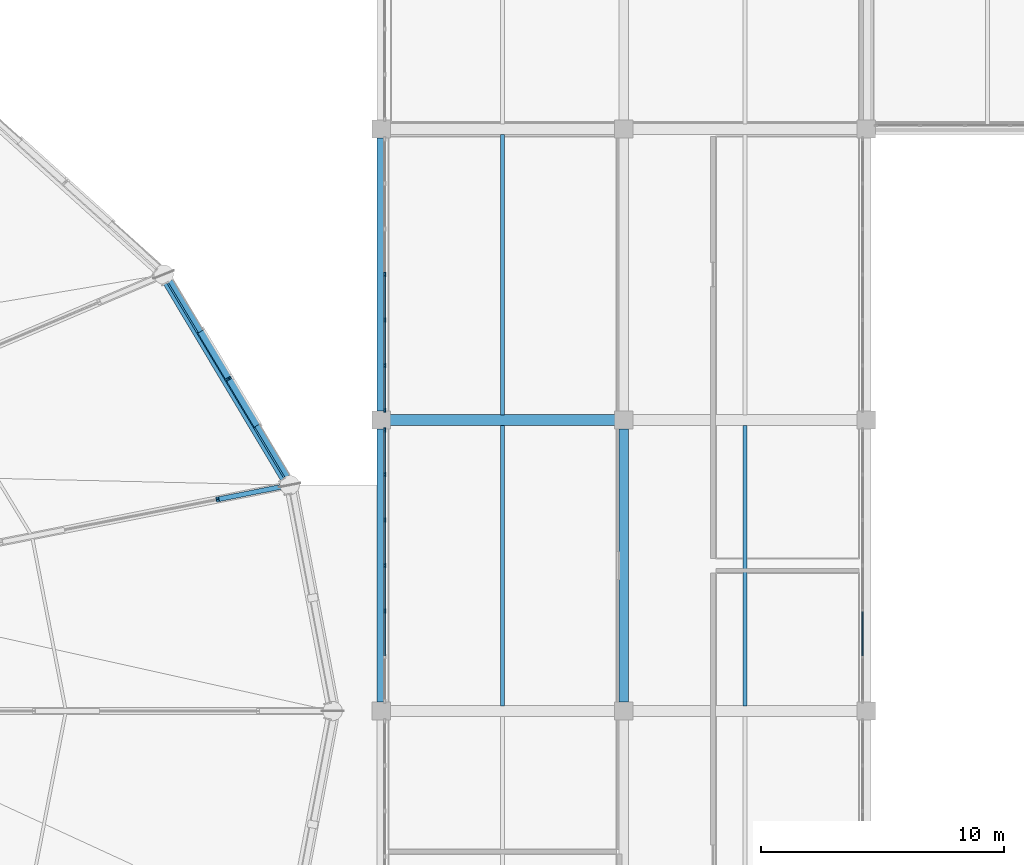
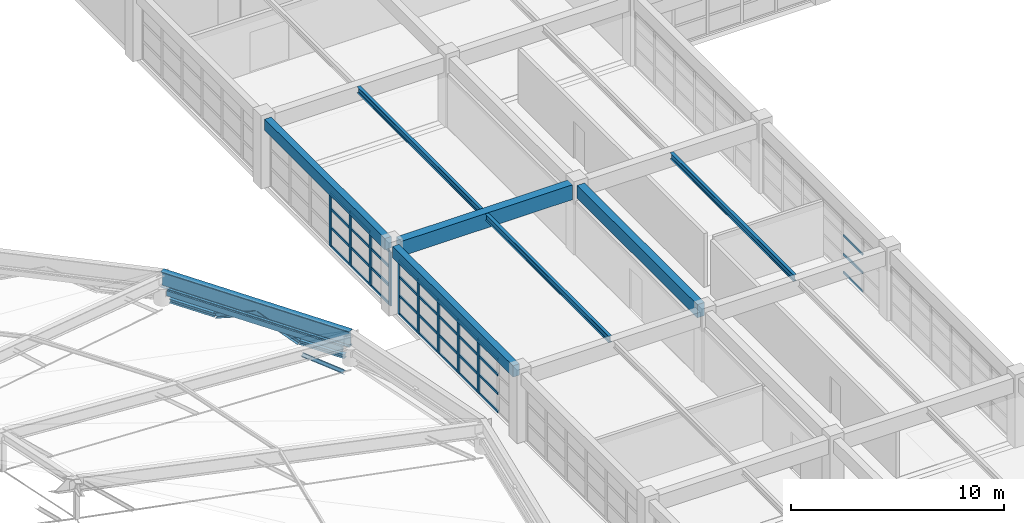
# One storey, part 30 of 83: 45 members, 13 beams, 3 elements without a shape of their own.
"""IFC4 building model written with IfcOpenShell, lengths in metres."""

from ifc_helpers import new_model, si_unit, direction, frame, origin, origin_2d, place, context, subcontext, project, spatial, rectangle, hollow_rectangle, i_section, extrude, material, layer, layer_set, material_profile, profile_set, type_object, element, aggregate, save


model = new_model("IFC4")

# Units and contexts
model_context = context("Model", 3, precision=1e-05, world=origin(), true_north=direction((0.0, 1.0)))
body_context = subcontext(model_context, "Body", "Model", "MODEL_VIEW")
ifc_project = project(units=[si_unit("LENGTHUNIT", "METRE"), si_unit("AREAUNIT", "SQUARE_METRE"), si_unit("VOLUMEUNIT", "CUBIC_METRE"), si_unit("PLANEANGLEUNIT", "RADIAN"), si_unit("MASSUNIT", "GRAM", prefix="KILO")], contexts=[model_context])

# Site, building, storey
site_placement = place(None, origin())
site = spatial("IfcSite", under=ifc_project, at=site_placement, CompositionType="ELEMENT")
building_placement = place(site_placement, origin())
building = spatial("IfcBuilding", under=site, at=building_placement, Name="Kivolera Central Railway Station", CompositionType="ELEMENT")
storey_placement = place(building_placement, frame((0.0, 0.0, 14.39990234375)))
storey = spatial("IfcBuildingStorey", under=building, at=storey_placement, Name="L03", CompositionType="ELEMENT", Elevation=14.39990234375)

# Beams
ifc_material_1 = material(Name="Steel S355", Category="steel")
ifc_material_profile_1 = material_profile(ifc_material_1, hollow_rectangle(XDim=0.14990234375, YDim=0.300048828125, WallThickness=0.012451171875, at=origin_2d()), Name="RHS 300x150x12.5")
ifc_profile_set_1 = profile_set([ifc_material_profile_1], Name="Steel S355")
beam_type_1 = type_object("IfcBeamType", Name="BM-ARCH-HOOD", PredefinedType="SPANDREL", material=ifc_profile_set_1)
beam_1_placement = place(storey_placement, frame((113.9208984375, 99.547119140625, 0.735107421875), z_axis=(-0.513358106198, 0.858174489717, 0.0), x_axis=(-0.858174489717, -0.513358106198, 0.0)))
element("IfcBeam", 1, at=beam_1_placement, inside=storey, type_object=beam_type_1, Name="Lantern Spandrel Hood Beam 02", PredefinedType="SPANDREL", context=body_context, shape_type="SweptSolid", body=[
    extrude(hollow_rectangle(XDim=0.14990234375, YDim=0.300048828125, WallThickness=0.012451171875, at=origin_2d()), origin(), (0.0, 0.0, 1.0), 9.408203125),
])
ifc_material_profile_2 = material_profile(ifc_material_1, i_section(OverallWidth=0.169921875, OverallDepth=0.360107421875, WebThickness=0.008056640625, FlangeThickness=0.0126953125, FilletRadius=0.01806640625, at=origin_2d()), Name="IPE 360")
ifc_profile_set_2 = profile_set([ifc_material_profile_2], Name="Steel S355")
beam_type_2 = type_object("IfcBeamType", Name="BM-JST-IPE360", PredefinedType="JOIST", material=ifc_profile_set_2)
for number, where, z_axis, x_axis, name in (
    (2, (123.0, 90.217041015625, 3.748046875), (0.0, 1.0, 0.0), (-1.0, 0.0, 0.0), "L03 Floor Joist 12-13/H-J"),
    (3, (123.0, 102.217041015625, 3.748046875), (0.0, 1.0, 0.0), (-1.0, 0.0, 0.0), "L03 Floor Joist 12-13/J-K"),
    (4, (133.0, 90.217041015625, 3.748046875), (0.0, 1.0, 0.0), (-1.0, 0.0, 0.0), "L03 Floor Joist 13-14/H-J"),
):
    element("IfcBeam", number, at=place(storey_placement, frame(where, z_axis=z_axis, x_axis=x_axis)), inside=storey, type_object=beam_type_2, Name=name, PredefinedType="JOIST", context=body_context, shape_type="SweptSolid", body=[
        extrude(i_section(OverallWidth=0.169921875, OverallDepth=0.360107421875, WebThickness=0.008056640625, FlangeThickness=0.0126953125, FilletRadius=0.01806640625, at=origin_2d()), origin(), (0.0, 0.0, 1.0), 11.56591796875),
    ])
ifc_material_profile_3 = material_profile(ifc_material_1, i_section(OverallWidth=0.300048828125, OverallDepth=0.300048828125, WebThickness=0.010986328125, FlangeThickness=0.01904296875, FilletRadius=0.027099609375, at=origin_2d()), Name="HEB 300")
ifc_profile_set_3 = profile_set([ifc_material_profile_3], Name="Steel S355")
beam_type_3 = type_object("IfcBeamType", Name="BM-LANT-ARCH", PredefinedType="SPANDREL", material=ifc_profile_set_3)
beam_2_placement = place(storey_placement, frame((112.89306640625, 101.781982421875, 0.16015625), z_axis=(-0.477160519348, 0.797074958456, 0.370120722709), x_axis=(-0.858007506616, -0.513637146818, 0.0)))
element("IfcBeam", 5, at=beam_2_placement, inside=storey, type_object=beam_type_3, Name="Oval Lantern Structural Arch Rib 02.3", PredefinedType="SPANDREL", context=body_context, shape_type="SweptSolid", body=[
    extrude(i_section(OverallWidth=0.300048828125, OverallDepth=0.300048828125, WebThickness=0.010986328125, FlangeThickness=0.01904296875, FilletRadius=0.027099609375, at=origin_2d()), origin(), (0.0, 0.0, 1.0), 2.431396484375),
])
beam_3_placement = place(storey_placement, frame((111.73291015625, 103.719970703125, 1.06005859375), z_axis=(-0.476772627919, 0.797265877485, -0.370209375713), x_axis=(-0.85824565616, -0.513239119399, 0.0)))
element("IfcBeam", 6, at=beam_3_placement, inside=storey, type_object=beam_type_3, Name="Oval Lantern Structural Arch Rib 02.4", PredefinedType="SPANDREL", context=body_context, shape_type="SweptSolid", body=[
    extrude(i_section(OverallWidth=0.300048828125, OverallDepth=0.300048828125, WebThickness=0.010986328125, FlangeThickness=0.01904296875, FilletRadius=0.027099609375, at=origin_2d()), origin(), (0.0, 0.0, 1.0), 2.430908203125),
])
ifc_material_profile_4 = material_profile(ifc_material_1, i_section(OverallWidth=0.239990234375, OverallDepth=0.22998046875, WebThickness=0.007568359375, FlangeThickness=0.011962890625, FilletRadius=0.02099609375, at=origin_2d()), Name="HEA 240")
ifc_profile_set_4 = profile_set([ifc_material_profile_4], Name="Steel S355")
beam_type_4 = type_object("IfcBeamType", Name="BM-LANT-HTIE", PredefinedType="SPANDREL", material=ifc_profile_set_4)
beam_4_placement = place(storey_placement, frame((114.14892578125, 99.68310546875, 0.16015625), z_axis=(-0.51345317961, 0.858117609858, 0.0), x_axis=(-0.858117609858, -0.51345317961, 0.0)))
element("IfcBeam", 7, at=beam_4_placement, inside=storey, type_object=beam_type_4, Name="Lantern Arch Spandrel Haunch Tie 02L", PredefinedType="SPANDREL", context=body_context, shape_type="SweptSolid", body=[
    extrude(i_section(OverallWidth=0.239990234375, OverallDepth=0.22998046875, WebThickness=0.007568359375, FlangeThickness=0.011962890625, FilletRadius=0.02099609375, at=origin_2d()), origin(), (0.0, 0.0, 1.0), 2.44580078125),
])
beam_5_placement = place(storey_placement, frame((110.573974609375, 105.657958984375, 0.16015625), z_axis=(-0.51340920348, 0.858143921369, 0.0), x_axis=(-0.858143921369, -0.51340920348, 0.0)))
element("IfcBeam", 8, at=beam_5_placement, inside=storey, type_object=beam_type_4, Name="Lantern Arch Spandrel Haunch Tie 02R", PredefinedType="SPANDREL", context=body_context, shape_type="SweptSolid", body=[
    extrude(i_section(OverallWidth=0.239990234375, OverallDepth=0.22998046875, WebThickness=0.007568359375, FlangeThickness=0.011962890625, FilletRadius=0.02099609375, at=origin_2d()), origin(), (0.0, 0.0, 1.0), 2.446044921875),
])
ifc_material_profile_5 = material_profile(ifc_material_1, i_section(OverallWidth=0.300048828125, OverallDepth=0.89990234375, WebThickness=0.0185546875, FlangeThickness=0.034912109375, FilletRadius=0.030029296875, at=origin_2d()), Name="HEB 900")
ifc_profile_set_5 = profile_set([ifc_material_profile_5], Name="Steel S355")
beam_type_5 = type_object("IfcBeamType", Name="BM-ORB-HEB900", PredefinedType="BEAM", material=ifc_profile_set_5)
beam_6_placement = place(storey_placement, frame((114.22802734375, 99.31689453125, 1.35009765625), z_axis=(-0.513420234648, 0.85813732156, 0.0), x_axis=(-0.85813732156, -0.513420234648, 0.0)))
element("IfcBeam", 9, at=beam_6_placement, inside=storey, type_object=beam_type_5, Name="Oval Dome Compression Ring Beam ORB-02", PredefinedType="BEAM", context=body_context, shape_type="SweptSolid", body=[
    extrude(i_section(OverallWidth=0.300048828125, OverallDepth=0.89990234375, WebThickness=0.0185546875, FlangeThickness=0.034912109375, FilletRadius=0.030029296875, at=origin_2d()), origin(), (0.0, 0.0, 1.0), 10.11865234375),
])
ifc_material_2 = material(Name="Concrete C40/50", Category="concrete")
ifc_material_profile_6 = material_profile(ifc_material_2, rectangle(XDim=0.39990234375, YDim=0.75, at=origin_2d()), Name="RC 400x750")
ifc_profile_set_6 = profile_set([ifc_material_profile_6], Name="Concrete C40/50")
beam_type_6 = type_object("IfcBeamType", Name="BM-RC-400x750", PredefinedType="BEAM", material=ifc_profile_set_6)
beam_7_placement = place(storey_placement, frame((128.0, 90.366943359375, 3.565185546875), z_axis=(0.0, 1.0, 0.0), x_axis=(-1.0, 0.0, 0.0)))
element("IfcBeam", 10, at=beam_7_placement, inside=storey, type_object=beam_type_6, Name="L03 Wing Y-Beam 13:H-J", PredefinedType="BEAM", context=body_context, shape_type="SweptSolid", body=[
    extrude(rectangle(XDim=0.39990234375, YDim=0.75, at=origin_2d()), origin(), (0.0, 0.0, 1.0), 11.26611328125),
])
ifc_material_profile_7 = material_profile(ifc_material_2, rectangle(XDim=0.449951171875, YDim=0.85009765625, at=origin_2d()), Name="RC 450x850")
ifc_profile_set_7 = profile_set([ifc_material_profile_7], Name="Concrete C40/50")
beam_type_7 = type_object("IfcBeamType", Name="BM-RC-450x850", PredefinedType="BEAM", material=ifc_profile_set_7)
beam_8_placement = place(storey_placement, frame((118.366943359375, 102.0, 3.51513671875), z_axis=(1.0, 0.0, 0.0), x_axis=(0.0, 1.0, 0.0)))
element("IfcBeam", 11, at=beam_8_placement, inside=storey, type_object=beam_type_7, Name="L03 Wing X-Beam J:12-13", PredefinedType="BEAM", context=body_context, shape_type="SweptSolid", body=[
    extrude(rectangle(XDim=0.449951171875, YDim=0.85009765625, at=origin_2d()), origin(), (0.0, 0.0, 1.0), 9.26611328125),
])
ifc_material_profile_8 = material_profile(ifc_material_2, rectangle(XDim=0.35009765625, YDim=0.64990234375, at=origin_2d()), Name="RC 350x650")
ifc_profile_set_8 = profile_set([ifc_material_profile_8], Name="Concrete C40/50")
beam_type_8 = type_object("IfcBeamType", Name="BM-SPN-RC650", PredefinedType="SPANDREL", material=ifc_profile_set_8)
for number, where, z_axis, x_axis, name in (
    (12, (118.0, 90.366943359375, 3.614990234375), (0.0, 1.0, 0.0), (-1.0, 0.0, 0.0), "L03 Wing Y-Beam 12:H-J"),
    (13, (118.0, 102.366943359375, 3.614990234375), (0.0, 1.0, 0.0), (-1.0, 0.0, 0.0), "L03 Wing Y-Beam 12:J-K"),
):
    element("IfcBeam", number, at=place(storey_placement, frame(where, z_axis=z_axis, x_axis=x_axis)), inside=storey, type_object=beam_type_8, Name=name, PredefinedType="SPANDREL", context=body_context, shape_type="SweptSolid", body=[
        extrude(rectangle(XDim=0.35009765625, YDim=0.64990234375, at=origin_2d()), origin(), (0.0, 0.0, 1.0), 11.26611328125),
    ])

# Curtain wall, members
ifc_material_3 = material(Name="Anodised aluminium", Category="aluminium")
ifc_layer = layer(ifc_material_3, 0.179931640625, Name="Anodised aluminium")
ifc_layer_set = layer_set([ifc_layer], Name="Anodised aluminium")
curtain_wall_type = type_object("IfcCurtainWallType", Name="CW-SYS-30", PredefinedType="NOTDEFINED", material=ifc_layer_set)
curtain_wall_1_placement = place(storey_placement, origin())
curtain_wall_1 = element("IfcCurtainWall", 14, at=curtain_wall_1_placement, inside=storey, type_object=curtain_wall_type, Name="L03 Curtain Wall CW-L03-WEST-H", PredefinedType="NOTDEFINED")
ifc_material_profile_9 = material_profile(ifc_material_3, rectangle(XDim=0.070068359375, YDim=0.179931640625, at=origin_2d()), Name="ALU MULL 70x180")
ifc_profile_set_9 = profile_set([ifc_material_profile_9], Name="Anodised aluminium")
member_type_1 = type_object("IfcMemberType", Name="CWM-MUL-1", PredefinedType="MULLION", material=ifc_profile_set_9)
member_1_placement = place(storey_placement, frame((118.14501953125, 94.123291015625, -0.0048828125), z_axis=(0.0, 0.0, 1.0), x_axis=(-1.0, 0.0, 0.0)))
member_1 = element("IfcMember", 15, at=member_1_placement, type_object=member_type_1, Name="CW-30 mullion 3", PredefinedType="MULLION", context=body_context, shape_type="SweptSolid", body=[
    extrude(rectangle(XDim=0.070068359375, YDim=0.179931640625, at=origin_2d()), origin(), (0.0, 0.0, 1.0), 3.0830078125),
])
member_2_placement = place(storey_placement, frame((118.14501953125, 96.0, -0.0048828125), z_axis=(0.0, 0.0, 1.0), x_axis=(-1.0, 0.0, 0.0)))
member_2 = element("IfcMember", 16, at=member_2_placement, type_object=member_type_1, Name="CW-30 mullion 4", PredefinedType="MULLION", context=body_context, shape_type="SweptSolid", body=[
    extrude(rectangle(XDim=0.070068359375, YDim=0.179931640625, at=origin_2d()), origin(), (0.0, 0.0, 1.0), 3.0830078125),
])
member_3_placement = place(storey_placement, frame((118.14501953125, 97.876708984375, -0.0048828125), z_axis=(0.0, 0.0, 1.0), x_axis=(-1.0, 0.0, 0.0)))
member_3 = element("IfcMember", 17, at=member_3_placement, type_object=member_type_1, Name="CW-30 mullion 5", PredefinedType="MULLION", context=body_context, shape_type="SweptSolid", body=[
    extrude(rectangle(XDim=0.070068359375, YDim=0.179931640625, at=origin_2d()), origin(), (0.0, 0.0, 1.0), 3.0830078125),
])
member_4_placement = place(storey_placement, frame((118.14501953125, 99.75341796875, -0.0048828125), z_axis=(0.0, 0.0, 1.0), x_axis=(-1.0, 0.0, 0.0)))
member_4 = element("IfcMember", 18, at=member_4_placement, type_object=member_type_1, Name="CW-30 mullion 6", PredefinedType="MULLION", context=body_context, shape_type="SweptSolid", body=[
    extrude(rectangle(XDim=0.070068359375, YDim=0.179931640625, at=origin_2d()), origin(), (0.0, 0.0, 1.0), 3.0830078125),
])
member_5_placement = place(storey_placement, frame((118.14501953125, 101.594970703125, -0.0048828125), z_axis=(0.0, 0.0, 1.0), x_axis=(-1.0, 0.0, 0.0)))
member_5 = element("IfcMember", 19, at=member_5_placement, type_object=member_type_1, Name="CW-30 mullion 7", PredefinedType="MULLION", context=body_context, shape_type="SweptSolid", body=[
    extrude(rectangle(XDim=0.070068359375, YDim=0.179931640625, at=origin_2d()), origin(), (0.0, 0.0, 1.0), 3.0830078125),
])

curtain_wall_2_placement = place(storey_placement, origin())
curtain_wall_2 = element("IfcCurtainWall", 20, at=curtain_wall_2_placement, inside=storey, type_object=curtain_wall_type, Name="L03 Curtain Wall CW-L03-WEST-J", PredefinedType="NOTDEFINED")
member_6_placement = place(storey_placement, frame((118.14501953125, 102.405029296875, -0.0048828125), z_axis=(0.0, 0.0, 1.0), x_axis=(-1.0, 0.0, 0.0)))
member_6 = element("IfcMember", 21, at=member_6_placement, type_object=member_type_1, Name="CW-30 mullion 1", PredefinedType="MULLION", context=body_context, shape_type="SweptSolid", body=[
    extrude(rectangle(XDim=0.070068359375, YDim=0.179931640625, at=origin_2d()), origin(), (0.0, 0.0, 1.0), 3.0830078125),
])
member_7_placement = place(storey_placement, frame((118.14501953125, 104.24658203125, -0.0048828125), z_axis=(0.0, 0.0, 1.0), x_axis=(-1.0, 0.0, 0.0)))
member_7 = element("IfcMember", 22, at=member_7_placement, type_object=member_type_1, Name="CW-30 mullion 2", PredefinedType="MULLION", context=body_context, shape_type="SweptSolid", body=[
    extrude(rectangle(XDim=0.070068359375, YDim=0.179931640625, at=origin_2d()), origin(), (0.0, 0.0, 1.0), 3.0830078125),
])
member_8_placement = place(storey_placement, frame((118.14501953125, 106.123291015625, -0.0048828125), z_axis=(0.0, 0.0, 1.0), x_axis=(-1.0, 0.0, 0.0)))
member_8 = element("IfcMember", 23, at=member_8_placement, type_object=member_type_1, Name="CW-30 mullion 3", PredefinedType="MULLION", context=body_context, shape_type="SweptSolid", body=[
    extrude(rectangle(XDim=0.070068359375, YDim=0.179931640625, at=origin_2d()), origin(), (0.0, 0.0, 1.0), 3.0830078125),
])
member_9_placement = place(storey_placement, frame((118.14501953125, 108.0, -0.0048828125), z_axis=(0.0, 0.0, 1.0), x_axis=(-1.0, 0.0, 0.0)))
member_9 = element("IfcMember", 24, at=member_9_placement, type_object=member_type_1, Name="CW-30 mullion 4", PredefinedType="MULLION", context=body_context, shape_type="SweptSolid", body=[
    extrude(rectangle(XDim=0.070068359375, YDim=0.179931640625, at=origin_2d()), origin(), (0.0, 0.0, 1.0), 3.0830078125),
])

# Member
ifc_material_profile_10 = material_profile(ifc_material_3, rectangle(XDim=0.070068359375, YDim=0.139892578125, at=origin_2d()), Name="ALU TRAN 70x140")
ifc_profile_set_10 = profile_set([ifc_material_profile_10], Name="Anodised aluminium")
member_type_2 = type_object("IfcMemberType", Name="CWM-TRN-1", PredefinedType="USERDEFINED", material=ifc_profile_set_10)
member_10_placement = place(storey_placement, frame((118.14501953125, 92.28173828125, 0.03515625), z_axis=(0.0, 1.0, 0.0), x_axis=(-1.0, 0.0, 0.0)))
member_10 = element("IfcMember", 25, at=member_10_placement, type_object=member_type_2, Name="CW-30 transom 2.1", ObjectType="TRANSOM", PredefinedType="USERDEFINED", context=body_context, shape_type="SweptSolid", body=[
    extrude(rectangle(XDim=0.070068359375, YDim=0.139892578125, at=origin_2d()), origin(), (0.0, 0.0, 1.0), 1.806640625),
])

member_11_placement = place(storey_placement, frame((118.14501953125, 92.28173828125, 1.077392578125), z_axis=(0.0, 1.0, 0.0), x_axis=(-1.0, 0.0, 0.0)))
member_11 = element("IfcMember", 26, at=member_11_placement, type_object=member_type_2, Name="CW-30 transom 2.2", ObjectType="TRANSOM", PredefinedType="USERDEFINED", context=body_context, shape_type="SweptSolid", body=[
    extrude(rectangle(XDim=0.070068359375, YDim=0.139892578125, at=origin_2d()), origin(), (0.0, 0.0, 1.0), 1.806640625),
])

member_12_placement = place(storey_placement, frame((118.14501953125, 92.28173828125, 2.15478515625), z_axis=(0.0, 1.0, 0.0), x_axis=(-1.0, 0.0, 0.0)))
member_12 = element("IfcMember", 27, at=member_12_placement, type_object=member_type_2, Name="CW-30 transom 2.3", ObjectType="TRANSOM", PredefinedType="USERDEFINED", context=body_context, shape_type="SweptSolid", body=[
    extrude(rectangle(XDim=0.070068359375, YDim=0.139892578125, at=origin_2d()), origin(), (0.0, 0.0, 1.0), 1.806640625),
])

member_13_placement = place(storey_placement, frame((118.14501953125, 92.28173828125, 3.043212890625), z_axis=(0.0, 1.0, 0.0), x_axis=(-1.0, 0.0, 0.0)))
member_13 = element("IfcMember", 28, at=member_13_placement, type_object=member_type_2, Name="CW-30 transom 2.4", ObjectType="TRANSOM", PredefinedType="USERDEFINED", context=body_context, shape_type="SweptSolid", body=[
    extrude(rectangle(XDim=0.070068359375, YDim=0.139892578125, at=origin_2d()), origin(), (0.0, 0.0, 1.0), 1.806640625),
])

member_14_placement = place(storey_placement, frame((118.14501953125, 94.158447265625, 0.03515625), z_axis=(0.0, 1.0, 0.0), x_axis=(-1.0, 0.0, 0.0)))
member_14 = element("IfcMember", 29, at=member_14_placement, type_object=member_type_2, Name="CW-30 transom 3.1", ObjectType="TRANSOM", PredefinedType="USERDEFINED", context=body_context, shape_type="SweptSolid", body=[
    extrude(rectangle(XDim=0.070068359375, YDim=0.139892578125, at=origin_2d()), origin(), (0.0, 0.0, 1.0), 1.806640625),
])

member_15_placement = place(storey_placement, frame((118.14501953125, 94.158447265625, 1.077392578125), z_axis=(0.0, 1.0, 0.0), x_axis=(-1.0, 0.0, 0.0)))
member_15 = element("IfcMember", 30, at=member_15_placement, type_object=member_type_2, Name="CW-30 transom 3.2", ObjectType="TRANSOM", PredefinedType="USERDEFINED", context=body_context, shape_type="SweptSolid", body=[
    extrude(rectangle(XDim=0.070068359375, YDim=0.139892578125, at=origin_2d()), origin(), (0.0, 0.0, 1.0), 1.806640625),
])

member_16_placement = place(storey_placement, frame((118.14501953125, 94.158447265625, 2.15478515625), z_axis=(0.0, 1.0, 0.0), x_axis=(-1.0, 0.0, 0.0)))
member_16 = element("IfcMember", 31, at=member_16_placement, type_object=member_type_2, Name="CW-30 transom 3.3", ObjectType="TRANSOM", PredefinedType="USERDEFINED", context=body_context, shape_type="SweptSolid", body=[
    extrude(rectangle(XDim=0.070068359375, YDim=0.139892578125, at=origin_2d()), origin(), (0.0, 0.0, 1.0), 1.806640625),
])

member_17_placement = place(storey_placement, frame((118.14501953125, 94.158447265625, 3.043212890625), z_axis=(0.0, 1.0, 0.0), x_axis=(-1.0, 0.0, 0.0)))
member_17 = element("IfcMember", 32, at=member_17_placement, type_object=member_type_2, Name="CW-30 transom 3.4", ObjectType="TRANSOM", PredefinedType="USERDEFINED", context=body_context, shape_type="SweptSolid", body=[
    extrude(rectangle(XDim=0.070068359375, YDim=0.139892578125, at=origin_2d()), origin(), (0.0, 0.0, 1.0), 1.806640625),
])

member_18_placement = place(storey_placement, frame((118.14501953125, 96.034912109375, 0.03515625), z_axis=(0.0, 1.0, 0.0), x_axis=(-1.0, 0.0, 0.0)))
member_18 = element("IfcMember", 33, at=member_18_placement, type_object=member_type_2, Name="CW-30 transom 4.1", ObjectType="TRANSOM", PredefinedType="USERDEFINED", context=body_context, shape_type="SweptSolid", body=[
    extrude(rectangle(XDim=0.070068359375, YDim=0.139892578125, at=origin_2d()), origin(), (0.0, 0.0, 1.0), 1.806640625),
])

member_19_placement = place(storey_placement, frame((118.14501953125, 96.034912109375, 1.077392578125), z_axis=(0.0, 1.0, 0.0), x_axis=(-1.0, 0.0, 0.0)))
member_19 = element("IfcMember", 34, at=member_19_placement, type_object=member_type_2, Name="CW-30 transom 4.2", ObjectType="TRANSOM", PredefinedType="USERDEFINED", context=body_context, shape_type="SweptSolid", body=[
    extrude(rectangle(XDim=0.070068359375, YDim=0.139892578125, at=origin_2d()), origin(), (0.0, 0.0, 1.0), 1.806640625),
])

member_20_placement = place(storey_placement, frame((118.14501953125, 96.034912109375, 2.15478515625), z_axis=(0.0, 1.0, 0.0), x_axis=(-1.0, 0.0, 0.0)))
member_20 = element("IfcMember", 35, at=member_20_placement, type_object=member_type_2, Name="CW-30 transom 4.3", ObjectType="TRANSOM", PredefinedType="USERDEFINED", context=body_context, shape_type="SweptSolid", body=[
    extrude(rectangle(XDim=0.070068359375, YDim=0.139892578125, at=origin_2d()), origin(), (0.0, 0.0, 1.0), 1.806640625),
])

member_21_placement = place(storey_placement, frame((118.14501953125, 96.034912109375, 3.043212890625), z_axis=(0.0, 1.0, 0.0), x_axis=(-1.0, 0.0, 0.0)))
member_21 = element("IfcMember", 36, at=member_21_placement, type_object=member_type_2, Name="CW-30 transom 4.4", ObjectType="TRANSOM", PredefinedType="USERDEFINED", context=body_context, shape_type="SweptSolid", body=[
    extrude(rectangle(XDim=0.070068359375, YDim=0.139892578125, at=origin_2d()), origin(), (0.0, 0.0, 1.0), 1.806640625),
])

member_22_placement = place(storey_placement, frame((118.14501953125, 97.91162109375, 0.03515625), z_axis=(0.0, 1.0, 0.0), x_axis=(-1.0, 0.0, 0.0)))
member_22 = element("IfcMember", 37, at=member_22_placement, type_object=member_type_2, Name="CW-30 transom 5.1", ObjectType="TRANSOM", PredefinedType="USERDEFINED", context=body_context, shape_type="SweptSolid", body=[
    extrude(rectangle(XDim=0.070068359375, YDim=0.139892578125, at=origin_2d()), origin(), (0.0, 0.0, 1.0), 1.806640625),
])

member_23_placement = place(storey_placement, frame((118.14501953125, 97.91162109375, 1.077392578125), z_axis=(0.0, 1.0, 0.0), x_axis=(-1.0, 0.0, 0.0)))
member_23 = element("IfcMember", 38, at=member_23_placement, type_object=member_type_2, Name="CW-30 transom 5.2", ObjectType="TRANSOM", PredefinedType="USERDEFINED", context=body_context, shape_type="SweptSolid", body=[
    extrude(rectangle(XDim=0.070068359375, YDim=0.139892578125, at=origin_2d()), origin(), (0.0, 0.0, 1.0), 1.806640625),
])

member_24_placement = place(storey_placement, frame((118.14501953125, 97.91162109375, 2.15478515625), z_axis=(0.0, 1.0, 0.0), x_axis=(-1.0, 0.0, 0.0)))
member_24 = element("IfcMember", 39, at=member_24_placement, type_object=member_type_2, Name="CW-30 transom 5.3", ObjectType="TRANSOM", PredefinedType="USERDEFINED", context=body_context, shape_type="SweptSolid", body=[
    extrude(rectangle(XDim=0.070068359375, YDim=0.139892578125, at=origin_2d()), origin(), (0.0, 0.0, 1.0), 1.806640625),
])

member_25_placement = place(storey_placement, frame((118.14501953125, 97.91162109375, 3.043212890625), z_axis=(0.0, 1.0, 0.0), x_axis=(-1.0, 0.0, 0.0)))
member_25 = element("IfcMember", 40, at=member_25_placement, type_object=member_type_2, Name="CW-30 transom 5.4", ObjectType="TRANSOM", PredefinedType="USERDEFINED", context=body_context, shape_type="SweptSolid", body=[
    extrude(rectangle(XDim=0.070068359375, YDim=0.139892578125, at=origin_2d()), origin(), (0.0, 0.0, 1.0), 1.806640625),
])

member_26_placement = place(storey_placement, frame((118.14501953125, 99.788330078125, 0.03515625), z_axis=(0.0, 1.0, 0.0), x_axis=(-1.0, 0.0, 0.0)))
member_26 = element("IfcMember", 41, at=member_26_placement, type_object=member_type_2, Name="CW-30 transom 6.1", ObjectType="TRANSOM", PredefinedType="USERDEFINED", context=body_context, shape_type="SweptSolid", body=[
    extrude(rectangle(XDim=0.070068359375, YDim=0.139892578125, at=origin_2d()), origin(), (0.0, 0.0, 1.0), 1.771728515625),
])

member_27_placement = place(storey_placement, frame((118.14501953125, 99.788330078125, 1.077392578125), z_axis=(0.0, 1.0, 0.0), x_axis=(-1.0, 0.0, 0.0)))
member_27 = element("IfcMember", 42, at=member_27_placement, type_object=member_type_2, Name="CW-30 transom 6.2", ObjectType="TRANSOM", PredefinedType="USERDEFINED", context=body_context, shape_type="SweptSolid", body=[
    extrude(rectangle(XDim=0.070068359375, YDim=0.139892578125, at=origin_2d()), origin(), (0.0, 0.0, 1.0), 1.771728515625),
])

member_28_placement = place(storey_placement, frame((118.14501953125, 99.788330078125, 2.15478515625), z_axis=(0.0, 1.0, 0.0), x_axis=(-1.0, 0.0, 0.0)))
member_28 = element("IfcMember", 43, at=member_28_placement, type_object=member_type_2, Name="CW-30 transom 6.3", ObjectType="TRANSOM", PredefinedType="USERDEFINED", context=body_context, shape_type="SweptSolid", body=[
    extrude(rectangle(XDim=0.070068359375, YDim=0.139892578125, at=origin_2d()), origin(), (0.0, 0.0, 1.0), 1.771728515625),
])

member_29_placement = place(storey_placement, frame((118.14501953125, 99.788330078125, 3.043212890625), z_axis=(0.0, 1.0, 0.0), x_axis=(-1.0, 0.0, 0.0)))
member_29 = element("IfcMember", 44, at=member_29_placement, type_object=member_type_2, Name="CW-30 transom 6.4", ObjectType="TRANSOM", PredefinedType="USERDEFINED", context=body_context, shape_type="SweptSolid", body=[
    extrude(rectangle(XDim=0.070068359375, YDim=0.139892578125, at=origin_2d()), origin(), (0.0, 0.0, 1.0), 1.771728515625),
])

aggregate(curtain_wall_1, [member_1, member_2, member_3, member_4, member_5, member_10, member_11, member_12, member_13, member_14, member_15, member_16, member_17, member_18, member_19, member_20, member_21, member_22, member_23, member_24, member_25, member_26, member_27, member_28, member_29])

member_30_placement = place(storey_placement, frame((118.14501953125, 102.43994140625, 0.03515625), z_axis=(0.0, 1.0, 0.0), x_axis=(-1.0, 0.0, 0.0)))
member_30 = element("IfcMember", 45, at=member_30_placement, type_object=member_type_2, Name="CW-30 transom 1.1", ObjectType="TRANSOM", PredefinedType="USERDEFINED", context=body_context, shape_type="SweptSolid", body=[
    extrude(rectangle(XDim=0.070068359375, YDim=0.139892578125, at=origin_2d()), origin(), (0.0, 0.0, 1.0), 1.771728515625),
])

member_31_placement = place(storey_placement, frame((118.14501953125, 102.43994140625, 1.077392578125), z_axis=(0.0, 1.0, 0.0), x_axis=(-1.0, 0.0, 0.0)))
member_31 = element("IfcMember", 46, at=member_31_placement, type_object=member_type_2, Name="CW-30 transom 1.2", ObjectType="TRANSOM", PredefinedType="USERDEFINED", context=body_context, shape_type="SweptSolid", body=[
    extrude(rectangle(XDim=0.070068359375, YDim=0.139892578125, at=origin_2d()), origin(), (0.0, 0.0, 1.0), 1.771728515625),
])

member_32_placement = place(storey_placement, frame((118.14501953125, 102.43994140625, 2.15478515625), z_axis=(0.0, 1.0, 0.0), x_axis=(-1.0, 0.0, 0.0)))
member_32 = element("IfcMember", 47, at=member_32_placement, type_object=member_type_2, Name="CW-30 transom 1.3", ObjectType="TRANSOM", PredefinedType="USERDEFINED", context=body_context, shape_type="SweptSolid", body=[
    extrude(rectangle(XDim=0.070068359375, YDim=0.139892578125, at=origin_2d()), origin(), (0.0, 0.0, 1.0), 1.771728515625),
])

member_33_placement = place(storey_placement, frame((118.14501953125, 102.43994140625, 3.043212890625), z_axis=(0.0, 1.0, 0.0), x_axis=(-1.0, 0.0, 0.0)))
member_33 = element("IfcMember", 48, at=member_33_placement, type_object=member_type_2, Name="CW-30 transom 1.4", ObjectType="TRANSOM", PredefinedType="USERDEFINED", context=body_context, shape_type="SweptSolid", body=[
    extrude(rectangle(XDim=0.070068359375, YDim=0.139892578125, at=origin_2d()), origin(), (0.0, 0.0, 1.0), 1.771728515625),
])

member_34_placement = place(storey_placement, frame((118.14501953125, 104.28173828125, 0.03515625), z_axis=(0.0, 1.0, 0.0), x_axis=(-1.0, 0.0, 0.0)))
member_34 = element("IfcMember", 49, at=member_34_placement, type_object=member_type_2, Name="CW-30 transom 2.1", ObjectType="TRANSOM", PredefinedType="USERDEFINED", context=body_context, shape_type="SweptSolid", body=[
    extrude(rectangle(XDim=0.070068359375, YDim=0.139892578125, at=origin_2d()), origin(), (0.0, 0.0, 1.0), 1.806640625),
])

member_35_placement = place(storey_placement, frame((118.14501953125, 104.28173828125, 1.077392578125), z_axis=(0.0, 1.0, 0.0), x_axis=(-1.0, 0.0, 0.0)))
member_35 = element("IfcMember", 50, at=member_35_placement, type_object=member_type_2, Name="CW-30 transom 2.2", ObjectType="TRANSOM", PredefinedType="USERDEFINED", context=body_context, shape_type="SweptSolid", body=[
    extrude(rectangle(XDim=0.070068359375, YDim=0.139892578125, at=origin_2d()), origin(), (0.0, 0.0, 1.0), 1.806640625),
])

member_36_placement = place(storey_placement, frame((118.14501953125, 104.28173828125, 2.15478515625), z_axis=(0.0, 1.0, 0.0), x_axis=(-1.0, 0.0, 0.0)))
member_36 = element("IfcMember", 51, at=member_36_placement, type_object=member_type_2, Name="CW-30 transom 2.3", ObjectType="TRANSOM", PredefinedType="USERDEFINED", context=body_context, shape_type="SweptSolid", body=[
    extrude(rectangle(XDim=0.070068359375, YDim=0.139892578125, at=origin_2d()), origin(), (0.0, 0.0, 1.0), 1.806640625),
])

member_37_placement = place(storey_placement, frame((118.14501953125, 104.28173828125, 3.043212890625), z_axis=(0.0, 1.0, 0.0), x_axis=(-1.0, 0.0, 0.0)))
member_37 = element("IfcMember", 52, at=member_37_placement, type_object=member_type_2, Name="CW-30 transom 2.4", ObjectType="TRANSOM", PredefinedType="USERDEFINED", context=body_context, shape_type="SweptSolid", body=[
    extrude(rectangle(XDim=0.070068359375, YDim=0.139892578125, at=origin_2d()), origin(), (0.0, 0.0, 1.0), 1.806640625),
])

member_38_placement = place(storey_placement, frame((118.14501953125, 106.158447265625, 0.03515625), z_axis=(0.0, 1.0, 0.0), x_axis=(-1.0, 0.0, 0.0)))
member_38 = element("IfcMember", 53, at=member_38_placement, type_object=member_type_2, Name="CW-30 transom 3.1", ObjectType="TRANSOM", PredefinedType="USERDEFINED", context=body_context, shape_type="SweptSolid", body=[
    extrude(rectangle(XDim=0.070068359375, YDim=0.139892578125, at=origin_2d()), origin(), (0.0, 0.0, 1.0), 1.806640625),
])

member_39_placement = place(storey_placement, frame((118.14501953125, 106.158447265625, 1.077392578125), z_axis=(0.0, 1.0, 0.0), x_axis=(-1.0, 0.0, 0.0)))
member_39 = element("IfcMember", 54, at=member_39_placement, type_object=member_type_2, Name="CW-30 transom 3.2", ObjectType="TRANSOM", PredefinedType="USERDEFINED", context=body_context, shape_type="SweptSolid", body=[
    extrude(rectangle(XDim=0.070068359375, YDim=0.139892578125, at=origin_2d()), origin(), (0.0, 0.0, 1.0), 1.806640625),
])

member_40_placement = place(storey_placement, frame((118.14501953125, 106.158447265625, 2.15478515625), z_axis=(0.0, 1.0, 0.0), x_axis=(-1.0, 0.0, 0.0)))
member_40 = element("IfcMember", 55, at=member_40_placement, type_object=member_type_2, Name="CW-30 transom 3.3", ObjectType="TRANSOM", PredefinedType="USERDEFINED", context=body_context, shape_type="SweptSolid", body=[
    extrude(rectangle(XDim=0.070068359375, YDim=0.139892578125, at=origin_2d()), origin(), (0.0, 0.0, 1.0), 1.806640625),
])

member_41_placement = place(storey_placement, frame((118.14501953125, 106.158447265625, 3.043212890625), z_axis=(0.0, 1.0, 0.0), x_axis=(-1.0, 0.0, 0.0)))
member_41 = element("IfcMember", 56, at=member_41_placement, type_object=member_type_2, Name="CW-30 transom 3.4", ObjectType="TRANSOM", PredefinedType="USERDEFINED", context=body_context, shape_type="SweptSolid", body=[
    extrude(rectangle(XDim=0.070068359375, YDim=0.139892578125, at=origin_2d()), origin(), (0.0, 0.0, 1.0), 1.806640625),
])

aggregate(curtain_wall_2, [member_6, member_7, member_8, member_9, member_30, member_31, member_32, member_33, member_34, member_35, member_36, member_37, member_38, member_39, member_40, member_41])

# Curtain wall, members
curtain_wall_3_placement = place(storey_placement, origin())
curtain_wall_3 = element("IfcCurtainWall", 57, at=curtain_wall_3_placement, inside=storey, type_object=curtain_wall_type, Name="L03 Curtain Wall CW-L03-CRTW-H", PredefinedType="NOTDEFINED")
ifc_material_profile_11 = material_profile(ifc_material_3, rectangle(XDim=0.06005859375, YDim=0.1201171875, at=origin_2d()), Name="ALU TRAN 60x120")
ifc_profile_set_11 = profile_set([ifc_material_profile_11], Name="Anodised aluminium")
member_type_3 = type_object("IfcMemberType", Name="CWM-TRN-2", PredefinedType="USERDEFINED", material=ifc_profile_set_11)
member_42_placement = place(storey_placement, frame((137.85498046875, 94.09326171875, 0.030029296875), z_axis=(0.0, -1.0, 0.0), x_axis=(1.0, 0.0, 0.0)))
member_42 = element("IfcMember", 58, at=member_42_placement, type_object=member_type_3, Name="CW-30 transom 5.1", ObjectType="TRANSOM", PredefinedType="USERDEFINED", context=body_context, shape_type="SweptSolid", body=[
    extrude(rectangle(XDim=0.06005859375, YDim=0.1201171875, at=origin_2d()), origin(), (0.0, 0.0, 1.0), 1.816650390625),
])
member_43_placement = place(storey_placement, frame((137.85498046875, 94.09326171875, 1.077392578125), z_axis=(0.0, -1.0, 0.0), x_axis=(1.0, 0.0, 0.0)))
member_43 = element("IfcMember", 59, at=member_43_placement, type_object=member_type_3, Name="CW-30 transom 5.2", ObjectType="TRANSOM", PredefinedType="USERDEFINED", context=body_context, shape_type="SweptSolid", body=[
    extrude(rectangle(XDim=0.06005859375, YDim=0.1201171875, at=origin_2d()), origin(), (0.0, 0.0, 1.0), 1.816650390625),
])
member_44_placement = place(storey_placement, frame((137.85498046875, 94.09326171875, 2.15478515625), z_axis=(0.0, -1.0, 0.0), x_axis=(1.0, 0.0, 0.0)))
member_44 = element("IfcMember", 60, at=member_44_placement, type_object=member_type_3, Name="CW-30 transom 5.3", ObjectType="TRANSOM", PredefinedType="USERDEFINED", context=body_context, shape_type="SweptSolid", body=[
    extrude(rectangle(XDim=0.06005859375, YDim=0.1201171875, at=origin_2d()), origin(), (0.0, 0.0, 1.0), 1.816650390625),
])
aggregate(curtain_wall_3, [member_42, member_43, member_44])

# Member
ifc_material_profile_12 = material_profile(ifc_material_1, i_section(OverallWidth=0.199951171875, OverallDepth=0.199951171875, WebThickness=0.009033203125, FlangeThickness=0.014892578125, FilletRadius=0.01806640625, at=origin_2d()), Name="HEB 200")
ifc_profile_set_12 = profile_set([ifc_material_profile_12], Name="Steel S355")
member_type_4 = type_object("IfcMemberType", Name="MEM-RAF-HEB200", PredefinedType="RAFTER", material=ifc_profile_set_12)
member_45_placement = place(storey_placement, frame((113.802978515625, 99.23291015625, -0.364990234375), z_axis=(-0.75032949901, -0.148557338818, 0.644155540222), x_axis=(0.194219376983, -0.980958120209, 0.0)))
element("IfcMember", 61, at=member_45_placement, inside=storey, type_object=member_type_4, Name="Dome Radial Truss Raking Web DWEB1-02.1", PredefinedType="RAFTER", context=body_context, shape_type="SweptSolid", body=[
    extrude(i_section(OverallWidth=0.199951171875, OverallDepth=0.199951171875, WebThickness=0.009033203125, FlangeThickness=0.014892578125, FilletRadius=0.01806640625, at=origin_2d()), origin(), (0.0, 0.0, 1.0), 3.398681640625),
])

save(model, "model.ifc")
